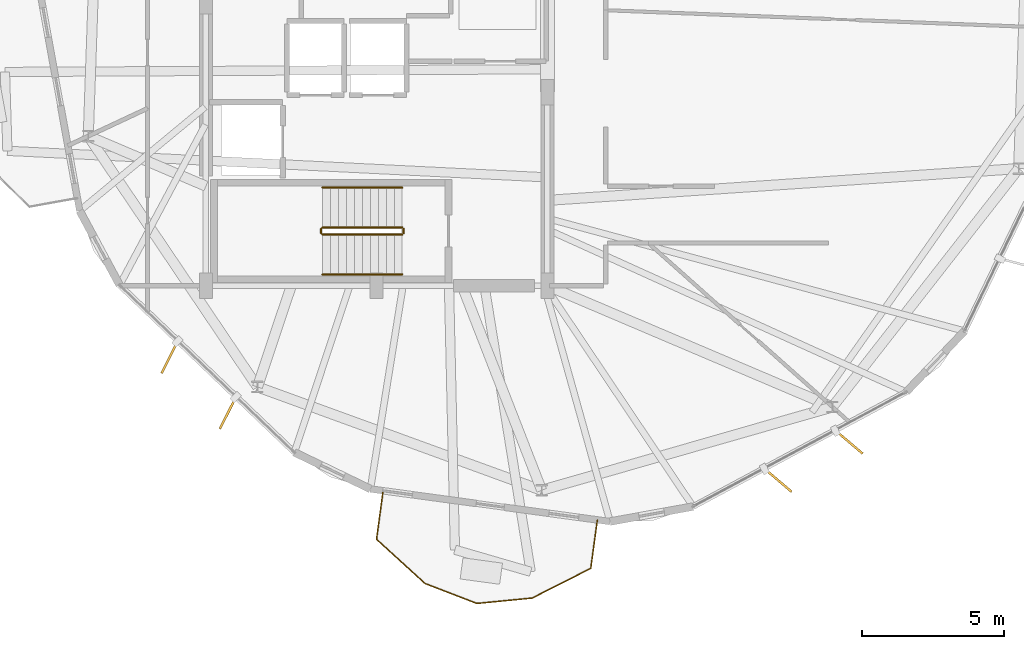
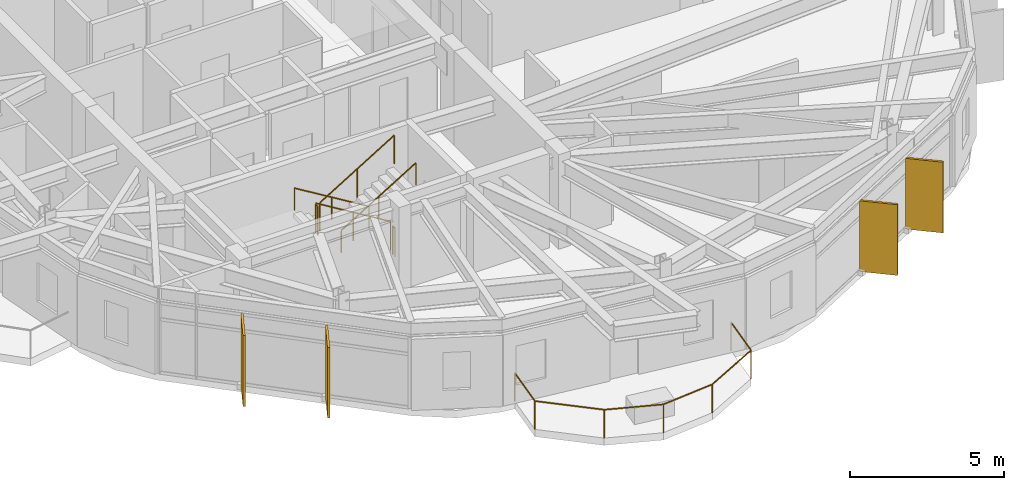
# One storey, part 24 of 26: 7 railings, 4 shading devices.
"""IFC4 building model written with IfcOpenShell, lengths in metres."""

from ifc_helpers import new_model, si_unit, direction, frame, origin, origin_2d, place, context, subcontext, project, spatial, rectangle, circle, extrude, material, layer, layer_set, type_object, element, save


model = new_model("IFC4")

# Units and contexts
model_context = context("Model", 3, precision=1e-05, world=origin(), true_north=direction((0.0, 1.0)))
body_context = subcontext(model_context, "Body", "Model", "MODEL_VIEW")
ifc_project = project(units=[si_unit("LENGTHUNIT", "METRE"), si_unit("AREAUNIT", "SQUARE_METRE"), si_unit("VOLUMEUNIT", "CUBIC_METRE"), si_unit("PLANEANGLEUNIT", "RADIAN"), si_unit("MASSUNIT", "GRAM", prefix="KILO")], contexts=[model_context])

# Site, building, storey
site_placement = place(None, origin())
site = spatial("IfcSite", under=ifc_project, at=site_placement, CompositionType="ELEMENT")
building_placement = place(site_placement, origin())
building = spatial("IfcBuilding", under=site, at=building_placement, Name="Soratama Intermodal Tower", CompositionType="ELEMENT")
storey_placement = place(building_placement, frame((0.0, 0.0, 268.75)))
storey = spatial("IfcBuildingStorey", under=building, at=storey_placement, Name="L68", CompositionType="ELEMENT", Elevation=268.75)

# Railings
ifc_material_1 = material(Name="Laminated glass and stainless steel balustrade", Category="steel")
railing_type_1 = type_object("IfcRailingType", Name="RL-BAL-1150", PredefinedType="BALUSTRADE", material=ifc_material_1)
railing_1_placement = place(storey_placement, frame((46.357421875, 6.771240234375, 0.0)))
element("IfcRailing", 1, at=railing_1_placement, inside=storey, type_object=railing_type_1, Name="L68 Balcony Balustrade 3", PredefinedType="BALUSTRADE", context=body_context, shape_type="SweptSolid", body=[
    extrude(circle(Radius=0.02392578125, at=origin_2d()), frame((0.0, 0.0, 1.1259765625), z_axis=(-0.134701479414, -0.990886225277, 0.0), x_axis=(0.990886225277, -0.134701479414, 0.0)), (0.0, 0.0, 1.0), 1.719970703125),
    extrude(circle(Radius=0.02392578125, at=origin_2d()), frame((-0.231689453125, -1.704345703125, 1.1259765625), z_axis=(-0.89210967392, -0.451818912506, 0.0), x_axis=(0.451818912506, -0.89210967392, 0.0)), (0.0, 0.0, 1.0), 2.308349609375),
    extrude(circle(Radius=0.02392578125, at=origin_2d()), frame((-2.291015625, -2.747314453125, 1.1259765625), z_axis=(-0.995292597299, -0.096915663137, 0.0), x_axis=(0.096915663137, -0.995292597299, 0.0)), (0.0, 0.0, 1.0), 1.952392578125),
    extrude(circle(Radius=0.02392578125, at=origin_2d()), frame((-4.234130859375, -2.9365234375, 1.1259765625), z_axis=(-0.93331981831, 0.359046120644, 0.0), x_axis=(-0.359046120644, -0.93331981831, 0.0)), (0.0, 0.0, 1.0), 1.9521484375),
    extrude(circle(Radius=0.02392578125, at=origin_2d()), frame((-6.05615234375, -2.235595703125, 1.1259765625), z_axis=(-0.739082828208, 0.673614558222, 0.0), x_axis=(-0.673614558222, -0.739082828208, 0.0)), (0.0, 0.0, 1.0), 2.308349609375),
    extrude(circle(Radius=0.02392578125, at=origin_2d()), frame((-7.76220703125, -0.6806640625, 1.1259765625), z_axis=(0.134562110413, 0.990905161174, 0.0), x_axis=(-0.990905161174, 0.134562110413, 0.0)), (0.0, 0.0, 1.0), 1.719970703125),
    extrude(circle(Radius=0.02099609375, at=origin_2d()), origin(), (0.0, 0.0, 1.0), 1.101806640625),
    extrude(circle(Radius=0.02099609375, at=origin_2d()), frame((-0.231689453125, -1.704345703125, 0.0)), (0.0, 0.0, 1.0), 1.101806640625),
    extrude(circle(Radius=0.02099609375, at=origin_2d()), frame((-2.291015625, -2.747314453125, 0.0)), (0.0, 0.0, 1.0), 1.101806640625),
    extrude(circle(Radius=0.02099609375, at=origin_2d()), frame((-4.234130859375, -2.9365234375, 0.0)), (0.0, 0.0, 1.0), 1.101806640625),
    extrude(circle(Radius=0.02099609375, at=origin_2d()), frame((-6.05615234375, -2.235595703125, 0.0)), (0.0, 0.0, 1.0), 1.101806640625),
    extrude(circle(Radius=0.02099609375, at=origin_2d()), frame((-7.76220703125, -0.6806640625, 0.0)), (0.0, 0.0, 1.0), 1.101806640625),
    extrude(circle(Radius=0.02099609375, at=origin_2d()), frame((-7.53076171875, 1.023681640625, 0.0)), (0.0, 0.0, 1.0), 1.101806640625),
])
ifc_material_2 = material(Name="Painted steel stair guardrail", Category="steel")
railing_type_2 = type_object("IfcRailingType", Name="RL-STAIR-GUARD", PredefinedType="GUARDRAIL", material=ifc_material_2)
railing_2_placement = place(storey_placement, frame((39.5, 17.050048828125, 0.17041015625)))
element("IfcRailing", 2, at=railing_2_placement, inside=storey, type_object=railing_type_2, Name="L68 ST-1 stair guard 1", PredefinedType="GUARDRAIL", context=body_context, shape_type="SweptSolid", body=[
    extrude(circle(Radius=0.02392578125, at=origin_2d()), frame((0.0, 0.0, 1.1259765625), z_axis=(-0.854169791009, 0.0, 0.51999420009), x_axis=(0.0, -1.0, 0.0)), (0.0, 0.0, 1.0), 3.278076171875),
    extrude(circle(Radius=0.02099609375, at=origin_2d()), origin(), (0.0, 0.0, 1.0), 1.101806640625),
    extrude(circle(Radius=0.02099609375, at=origin_2d()), frame((-1.39990234375, 0.0, 0.852294921875)), (0.0, 0.0, 1.0), 1.101806640625),
    extrude(circle(Radius=0.02099609375, at=origin_2d()), frame((-2.800048828125, 0.0, 1.70458984375)), (0.0, 0.0, 1.0), 1.101806640625),
])
railing_3_placement = place(storey_placement, frame((36.64990234375, 17.0, 1.875)))
element("IfcRailing", 3, at=railing_3_placement, inside=storey, type_object=railing_type_2, Name="L68 ST-1 stair guard 2", PredefinedType="GUARDRAIL", context=body_context, shape_type="SweptSolid", body=[
    extrude(circle(Radius=0.02392578125, at=origin_2d()), frame((0.0, 0.0, 1.1259765625), z_axis=(0.0, -1.0, 0.0), x_axis=(1.0, 0.0, 0.0)), (0.0, 0.0, 1.0), 0.14990234375),
    extrude(circle(Radius=0.02099609375, at=origin_2d()), origin(), (0.0, 0.0, 1.0), 1.101806640625),
    extrude(circle(Radius=0.02099609375, at=origin_2d()), frame((0.0, -0.14990234375, 0.0)), (0.0, 0.0, 1.0), 1.101806640625),
])
railing_4_placement = place(storey_placement, frame((36.699951171875, 16.800048828125, 2.04541015625)))
element("IfcRailing", 4, at=railing_4_placement, inside=storey, type_object=railing_type_2, Name="L68 ST-1 stair guard 3", PredefinedType="GUARDRAIL", context=body_context, shape_type="SweptSolid", body=[
    extrude(circle(Radius=0.02392578125, at=origin_2d()), frame((0.0, 0.0, 1.1259765625), z_axis=(0.854169791009, 0.0, 0.51999420009), x_axis=(0.0, 1.0, 0.0)), (0.0, 0.0, 1.0), 3.278076171875),
    extrude(circle(Radius=0.02099609375, at=origin_2d()), origin(), (0.0, 0.0, 1.0), 1.101806640625),
    extrude(circle(Radius=0.02099609375, at=origin_2d()), frame((1.39990234375, 0.0, 0.852294921875)), (0.0, 0.0, 1.0), 1.101806640625),
    extrude(circle(Radius=0.02099609375, at=origin_2d()), frame((2.800048828125, 0.0, 1.70458984375)), (0.0, 0.0, 1.0), 1.101806640625),
])
railing_5_placement = place(storey_placement, frame((39.550048828125, 17.0, 0.0)))
element("IfcRailing", 5, at=railing_5_placement, inside=storey, type_object=railing_type_2, Name="L68 ST-1 stair guard 4", PredefinedType="GUARDRAIL", context=body_context, shape_type="SweptSolid", body=[
    extrude(circle(Radius=0.02392578125, at=origin_2d()), frame((0.0, 0.0, 1.1259765625), z_axis=(0.0, -1.0, 0.0), x_axis=(1.0, 0.0, 0.0)), (0.0, 0.0, 1.0), 0.14990234375),
    extrude(circle(Radius=0.02099609375, at=origin_2d()), origin(), (0.0, 0.0, 1.0), 1.101806640625),
    extrude(circle(Radius=0.02099609375, at=origin_2d()), frame((0.0, -0.14990234375, 0.0)), (0.0, 0.0, 1.0), 1.101806640625),
])
ifc_material_3 = material(Name="Brushed stainless steel handrail", Category="steel")
railing_type_3 = type_object("IfcRailingType", Name="RL-STAIR-HAND", PredefinedType="HANDRAIL", material=ifc_material_3)
railing_6_placement = place(storey_placement, frame((39.5, 18.449951171875, 0.17041015625)))
element("IfcRailing", 6, at=railing_6_placement, inside=storey, type_object=railing_type_3, Name="L68 ST-1 stair handrail 1", PredefinedType="HANDRAIL", context=body_context, shape_type="SweptSolid", body=[
    extrude(circle(Radius=0.02392578125, at=origin_2d()), frame((0.0, 0.0, 0.8759765625), z_axis=(-0.854169791009, 0.0, 0.51999420009), x_axis=(0.0, -1.0, 0.0)), (0.0, 0.0, 1.0), 3.278076171875),
    extrude(circle(Radius=0.02099609375, at=origin_2d()), origin(), (0.0, 0.0, 1.0), 0.851806640625),
    extrude(circle(Radius=0.02099609375, at=origin_2d()), frame((-1.39990234375, 0.0, 0.852294921875)), (0.0, 0.0, 1.0), 0.851806640625),
    extrude(circle(Radius=0.02099609375, at=origin_2d()), frame((-2.800048828125, 0.0, 1.70458984375)), (0.0, 0.0, 1.0), 0.851806640625),
])
railing_7_placement = place(storey_placement, frame((36.699951171875, 15.39990234375, 2.04541015625)))
element("IfcRailing", 7, at=railing_7_placement, inside=storey, type_object=railing_type_3, Name="L68 ST-1 stair handrail 2", PredefinedType="HANDRAIL", context=body_context, shape_type="SweptSolid", body=[
    extrude(circle(Radius=0.02392578125, at=origin_2d()), frame((0.0, 0.0, 0.8759765625), z_axis=(0.854169791009, 0.0, 0.51999420009), x_axis=(0.0, 1.0, 0.0)), (0.0, 0.0, 1.0), 3.278076171875),
    extrude(circle(Radius=0.02099609375, at=origin_2d()), origin(), (0.0, 0.0, 1.0), 0.851806640625),
    extrude(circle(Radius=0.02099609375, at=origin_2d()), frame((1.39990234375, 0.0, 0.852294921875)), (0.0, 0.0, 1.0), 0.851806640625),
    extrude(circle(Radius=0.02099609375, at=origin_2d()), frame((2.800048828125, 0.0, 1.70458984375)), (0.0, 0.0, 1.0), 0.851806640625),
])

# Shading devices
ifc_material_4 = material(Name="Champagne anodised aluminium solar fin", Category="aluminium")
ifc_layer = layer(ifc_material_4, 0.080078125)
ifc_layer_set = layer_set([ifc_layer], Name="Champagne anodised aluminium solar fin")
shading_device_type = type_object("IfcShadingDeviceType", Name="SH-FIN-1250", PredefinedType="USERDEFINED", material=ifc_layer_set)
for number, where, z_axis, x_axis, name in (
    (8, (31.32421875, 12.485595703125, 0.02001953125), (0.0, 0.0, 1.0), (-0.450410122064, -0.892821775016, 0.0), "L68 Solar Fin F05-1"),
    (9, (33.37109375, 10.526611328125, 0.02001953125), (0.0, 0.0, 1.0), (-0.450410122064, -0.892821775016, 0.0), "L68 Solar Fin F05-2"),
    (10, (52.70947265625, 8.162841796875, 0.02001953125), (0.0, 0.0, 1.0), (0.761990594967, -0.64758808913, 0.0), "L68 Solar Fin F07-1"),
    (11, (55.204833984375, 9.50439453125, 0.02001953125), (0.0, 0.0, 1.0), (0.761990594967, -0.64758808913, 0.0), "L68 Solar Fin F07-2"),
):
    element("IfcShadingDevice", number, at=place(storey_placement, frame(where, z_axis=z_axis, x_axis=x_axis)), inside=storey, type_object=shading_device_type, Name=name, ObjectType="FIN", PredefinedType="USERDEFINED", context=body_context, shape_type="SweptSolid", body=[
        extrude(rectangle(XDim=1.25, YDim=0.080078125, at=origin_2d()), origin(), (0.0, 0.0, 1.0), 2.80908203125),
    ])

save(model, "model.ifc")
